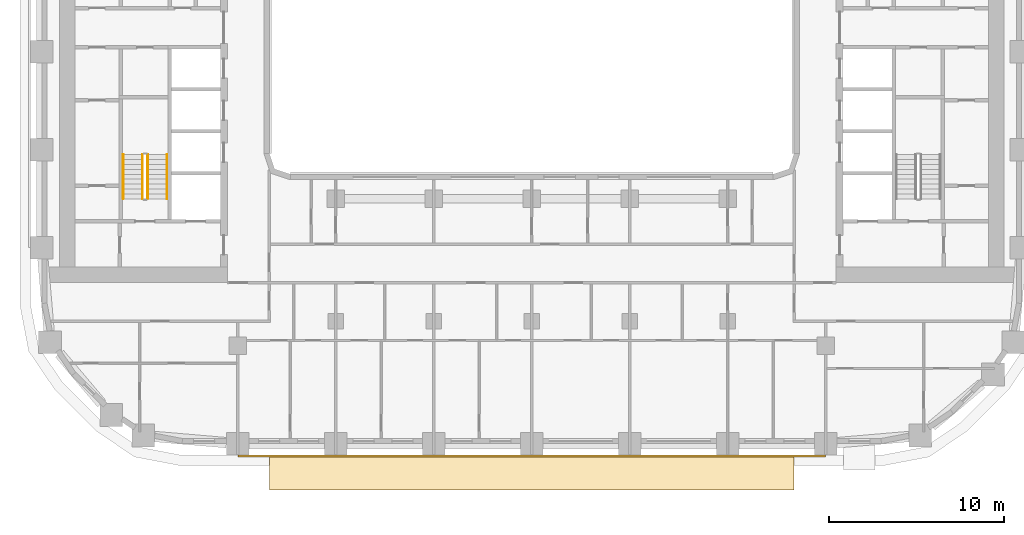
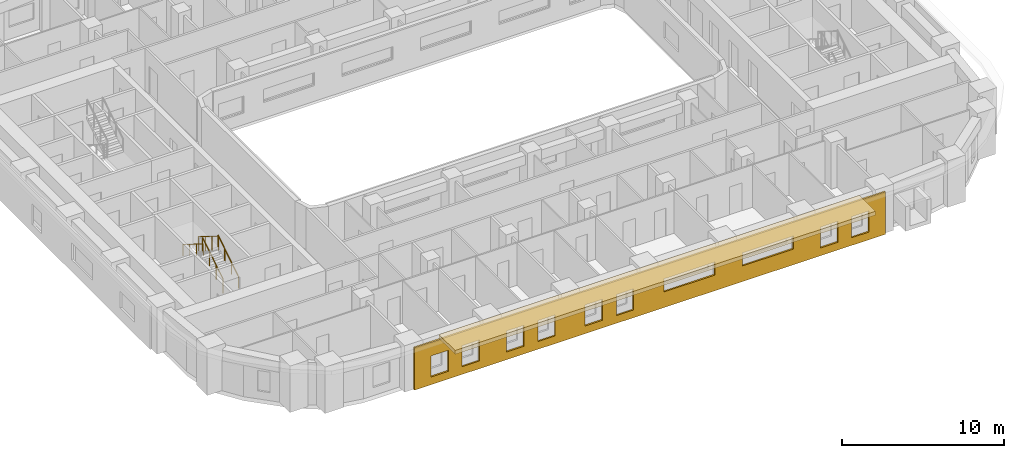
# One storey, part 13 of 23: 4 railings, 2 coverings.
"""IFC4 building model written with IfcOpenShell, lengths in metres."""

from ifc_helpers import new_model, si_unit, direction, frame, origin, origin_2d, place, context, subcontext, project, spatial, polyline, circle, outline, extrude, material, layer, layer_set, type_object, element, save


model = new_model("IFC4")

# Units and contexts
model_context = context("Model", 3, precision=1e-05, world=origin(), true_north=direction((0.0, 1.0)))
body_context = subcontext(model_context, "Body", "Model", "MODEL_VIEW")
ifc_project = project(units=[si_unit("LENGTHUNIT", "METRE"), si_unit("AREAUNIT", "SQUARE_METRE"), si_unit("VOLUMEUNIT", "CUBIC_METRE"), si_unit("PLANEANGLEUNIT", "RADIAN"), si_unit("MASSUNIT", "GRAM", prefix="KILO")], contexts=[model_context])

# Site, building, storey
site_placement = place(None, origin())
site = spatial("IfcSite", under=ifc_project, at=site_placement, CompositionType="ELEMENT")
building_placement = place(site_placement, origin())
building = spatial("IfcBuilding", under=site, at=building_placement, Name="Kiln Ring Residences", CompositionType="ELEMENT")
storey_placement = place(building_placement, frame((0.0, 0.0, 86.800048828125)))
storey = spatial("IfcBuildingStorey", under=building, at=storey_placement, Name="L21", CompositionType="ELEMENT", Elevation=86.800048828125)

# Railings
ifc_material_1 = material(Name="Stainless steel", Category="steel")
railing_type_1 = type_object("IfcRailingType", Name="CORE-STAIR-GUARD", PredefinedType="GUARDRAIL", material=ifc_material_1)
railing_1_placement = place(storey_placement, frame((-21.949951171875, -8.39990234375, 0.175048828125)))
element("IfcRailing", 1, at=railing_1_placement, inside=storey, type_object=railing_type_1, Name="L21 W-STS stair guard 1", PredefinedType="GUARDRAIL", context=body_context, shape_type="SweptSolid", body=[
    extrude(circle(Radius=0.02392578125, at=origin_2d()), frame((0.0, 0.0, 1.076171875), z_axis=(0.0, 0.848007534815, 0.529984170421), x_axis=(-1.0, 0.0, 0.0)), (0.0, 0.0, 1.0), 2.9716796875),
    extrude(circle(Radius=0.02099609375, at=origin_2d()), origin(), (0.0, 0.0, 1.0), 1.052001953125),
    extrude(circle(Radius=0.02099609375, at=origin_2d()), frame((0.0, 0.840087890625, 0.52490234375)), (0.0, 0.0, 1.0), 1.052001953125),
    extrude(circle(Radius=0.02099609375, at=origin_2d()), frame((0.0, 1.679931640625, 1.050048828125)), (0.0, 0.0, 1.0), 1.052001953125),
    extrude(circle(Radius=0.02099609375, at=origin_2d()), frame((0.0, 2.52001953125, 1.574951171875)), (0.0, 0.0, 1.0), 1.052001953125),
])
railing_2_placement = place(storey_placement, frame((-22.25, -5.8798828125, 1.925048828125)))
element("IfcRailing", 2, at=railing_2_placement, inside=storey, type_object=railing_type_1, Name="L21 W-STS stair guard 3", PredefinedType="GUARDRAIL", context=body_context, shape_type="SweptSolid", body=[
    extrude(circle(Radius=0.02392578125, at=origin_2d()), frame((0.0, 0.0, 1.076171875), z_axis=(0.0, -0.848007534815, 0.529984170421), x_axis=(1.0, 0.0, 0.0)), (0.0, 0.0, 1.0), 2.9716796875),
    extrude(circle(Radius=0.02099609375, at=origin_2d()), origin(), (0.0, 0.0, 1.0), 1.052001953125),
    extrude(circle(Radius=0.02099609375, at=origin_2d()), frame((0.0, -0.840087890625, 0.52490234375)), (0.0, 0.0, 1.0), 1.052001953125),
    extrude(circle(Radius=0.02099609375, at=origin_2d()), frame((0.0, -1.679931640625, 1.050048828125)), (0.0, 0.0, 1.0), 1.052001953125),
    extrude(circle(Radius=0.02099609375, at=origin_2d()), frame((0.0, -2.52001953125, 1.574951171875)), (0.0, 0.0, 1.0), 1.052001953125),
])
ifc_material_2 = material(Name="Stainless steel", Category="steel")
railing_type_2 = type_object("IfcRailingType", Name="CORE-STAIR-HANDRAIL", PredefinedType="HANDRAIL", material=ifc_material_2)
railing_3_placement = place(storey_placement, frame((-20.85009765625, -8.39990234375, 0.175048828125)))
element("IfcRailing", 3, at=railing_3_placement, inside=storey, type_object=railing_type_2, Name="L21 W-STS stair handrail 1", PredefinedType="HANDRAIL", context=body_context, shape_type="SweptSolid", body=[
    extrude(circle(Radius=0.02392578125, at=origin_2d()), frame((0.0, 0.0, 0.8759765625), z_axis=(0.0, 0.848007534815, 0.529984170421), x_axis=(-1.0, 0.0, 0.0)), (0.0, 0.0, 1.0), 2.9716796875),
    extrude(circle(Radius=0.02099609375, at=origin_2d()), origin(), (0.0, 0.0, 1.0), 0.851806640625),
    extrude(circle(Radius=0.02099609375, at=origin_2d()), frame((0.0, 0.840087890625, 0.52490234375)), (0.0, 0.0, 1.0), 0.851806640625),
    extrude(circle(Radius=0.02099609375, at=origin_2d()), frame((0.0, 1.679931640625, 1.050048828125)), (0.0, 0.0, 1.0), 0.851806640625),
    extrude(circle(Radius=0.02099609375, at=origin_2d()), frame((0.0, 2.52001953125, 1.574951171875)), (0.0, 0.0, 1.0), 0.851806640625),
])
railing_4_placement = place(storey_placement, frame((-23.35009765625, -5.8798828125, 1.925048828125)))
element("IfcRailing", 4, at=railing_4_placement, inside=storey, type_object=railing_type_2, Name="L21 W-STS stair handrail 2", PredefinedType="HANDRAIL", context=body_context, shape_type="SweptSolid", body=[
    extrude(circle(Radius=0.02392578125, at=origin_2d()), frame((0.0, 0.0, 0.8759765625), z_axis=(0.0, -0.848007534815, 0.529984170421), x_axis=(1.0, 0.0, 0.0)), (0.0, 0.0, 1.0), 2.9716796875),
    extrude(circle(Radius=0.02099609375, at=origin_2d()), origin(), (0.0, 0.0, 1.0), 0.851806640625),
    extrude(circle(Radius=0.02099609375, at=origin_2d()), frame((0.0, -0.840087890625, 0.52490234375)), (0.0, 0.0, 1.0), 0.851806640625),
    extrude(circle(Radius=0.02099609375, at=origin_2d()), frame((0.0, -1.679931640625, 1.050048828125)), (0.0, 0.0, 1.0), 0.851806640625),
    extrude(circle(Radius=0.02099609375, at=origin_2d()), frame((0.0, -2.52001953125, 1.574951171875)), (0.0, 0.0, 1.0), 0.851806640625),
])

# Coverings
ifc_material_3 = material(Name="Brick masonry, dark clay brick", Category="masonry")
ifc_layer_1 = layer(ifc_material_3, 0.1201171875)
ifc_layer_set_1 = layer_set([ifc_layer_1], Name="RAINSCREEN PANEL 120")
covering_type_1 = type_object("IfcCoveringType", Name="RAINSCREEN PANEL 120", PredefinedType="CLADDING", material=ifc_layer_set_1)
covering_1_placement = place(storey_placement, frame((-16.800048828125, -23.110107421875, 0.0), z_axis=(0.0, 0.0, 1.0), x_axis=(1.0, 0.0, 0.0)))
element("IfcCovering", 5, at=covering_1_placement, inside=storey, type_object=covering_type_1, Name="RAINSCREEN L21", PredefinedType="CLADDING", context=body_context, shape_type="SweptSolid", body=[
    extrude(outline(polyline([(0.0, 0.0), (33.60009765625, 0.0), (33.60009765625, 3.199951171875), (0.0, 3.199951171875), (0.0, 0.0)]), holes=[polyline([(1.16748046875, 0.579833984375), (2.407470703125, 0.579833984375), (2.407470703125, 2.169921875), (1.16748046875, 2.169921875), (1.16748046875, 0.579833984375)]), polyline([(3.392578125, 0.579833984375), (4.632568359375, 0.579833984375), (4.632568359375, 2.169921875), (3.392578125, 2.169921875), (3.392578125, 0.579833984375)]), polyline([(6.5673828125, 0.579833984375), (7.8076171875, 0.579833984375), (7.8076171875, 2.169921875), (6.5673828125, 2.169921875), (6.5673828125, 0.579833984375)]), polyline([(8.79248046875, 2.169921875), (8.79248046875, 0.579833984375), (10.032470703125, 0.579833984375), (10.032470703125, 2.169921875), (8.79248046875, 2.169921875)]), polyline([(12.16748046875, 2.169921875), (12.16748046875, 0.579833984375), (13.407470703125, 0.579833984375), (13.407470703125, 2.169921875), (12.16748046875, 2.169921875)]), polyline([(14.392578125, 0.579833984375), (15.632568359375, 0.579833984375), (15.632568359375, 2.169921875), (14.392578125, 2.169921875), (14.392578125, 0.579833984375)]), polyline([(28.967529296875, 0.579833984375), (30.20751953125, 0.579833984375), (30.20751953125, 2.169921875), (28.967529296875, 2.169921875), (28.967529296875, 0.579833984375)]), polyline([(31.1923828125, 0.579833984375), (32.4326171875, 0.579833984375), (32.4326171875, 2.169921875), (31.1923828125, 2.169921875), (31.1923828125, 0.579833984375)]), polyline([(17.780029296875, 2.169921875), (17.780029296875, 1.179931640625), (21.419921875, 1.179931640625), (21.419921875, 2.169921875), (17.780029296875, 2.169921875)]), polyline([(23.3798828125, 2.169921875), (23.3798828125, 1.179931640625), (27.02001953125, 1.179931640625), (27.02001953125, 2.169921875), (23.3798828125, 2.169921875)])]), frame((0.0, 0.06005859375, 0.0), z_axis=(0.0, -1.0, 0.0), x_axis=(1.0, 0.0, 0.0)), (0.0, 0.0, 1.0), 0.1201171875),
])
ifc_material_4 = material(Name="Black powder-coated steel", Category="steel")
ifc_layer_2 = layer(ifc_material_4, 0.300048828125)
ifc_layer_set_2 = layer_set([ifc_layer_2], Name="SUNSHADE BAND 2000")
covering_type_2 = type_object("IfcCoveringType", Name="SUNSHADE BAND 2000", PredefinedType="CLADDING", material=ifc_layer_set_2)
covering_2_placement = place(storey_placement, frame((0.0, 0.0, 3.199951171875)))
element("IfcCovering", 6, at=covering_2_placement, inside=storey, type_object=covering_type_2, Name="SUNSHADE BAND L21", PredefinedType="CLADDING", context=body_context, shape_type="SweptSolid", body=[
    extrude(outline(polyline([(-15.0, -25.050048828125), (15.0, -25.050048828125), (15.0, -23.050048828125), (-15.0, -23.050048828125), (-15.0, -25.050048828125)])), origin(), (0.0, 0.0, 1.0), 0.300048828125),
])

save(model, "model.ifc")
